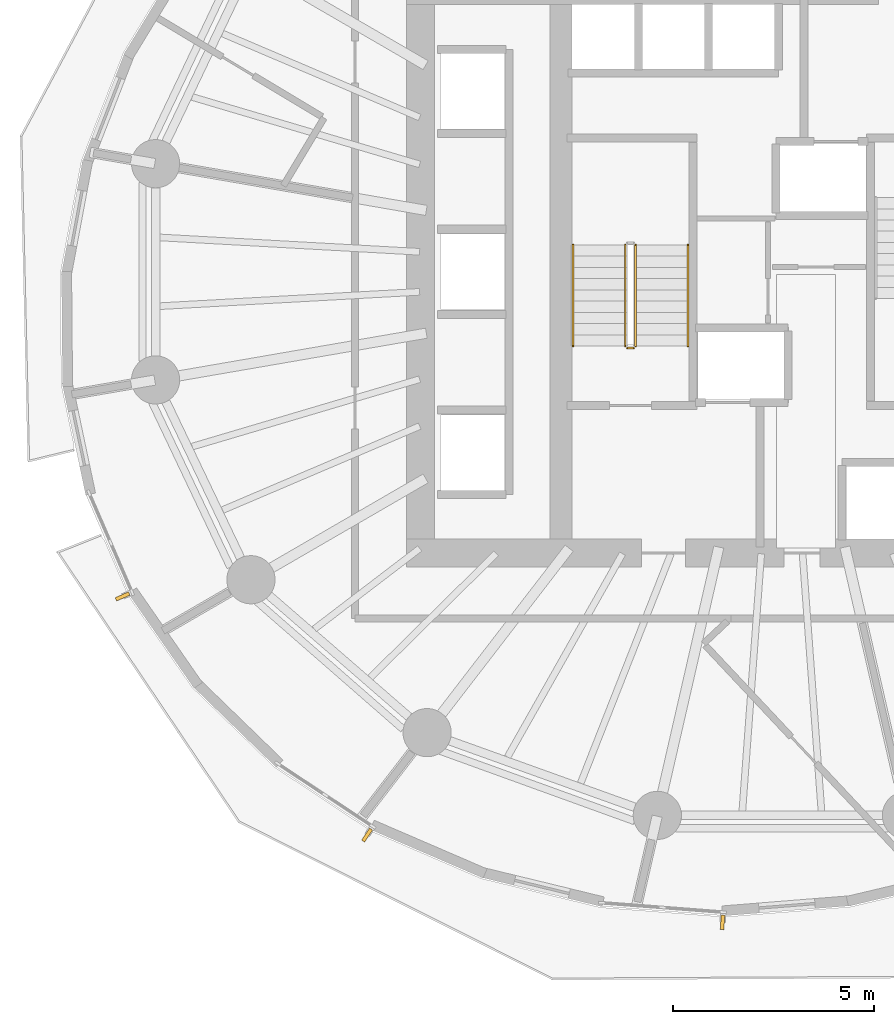
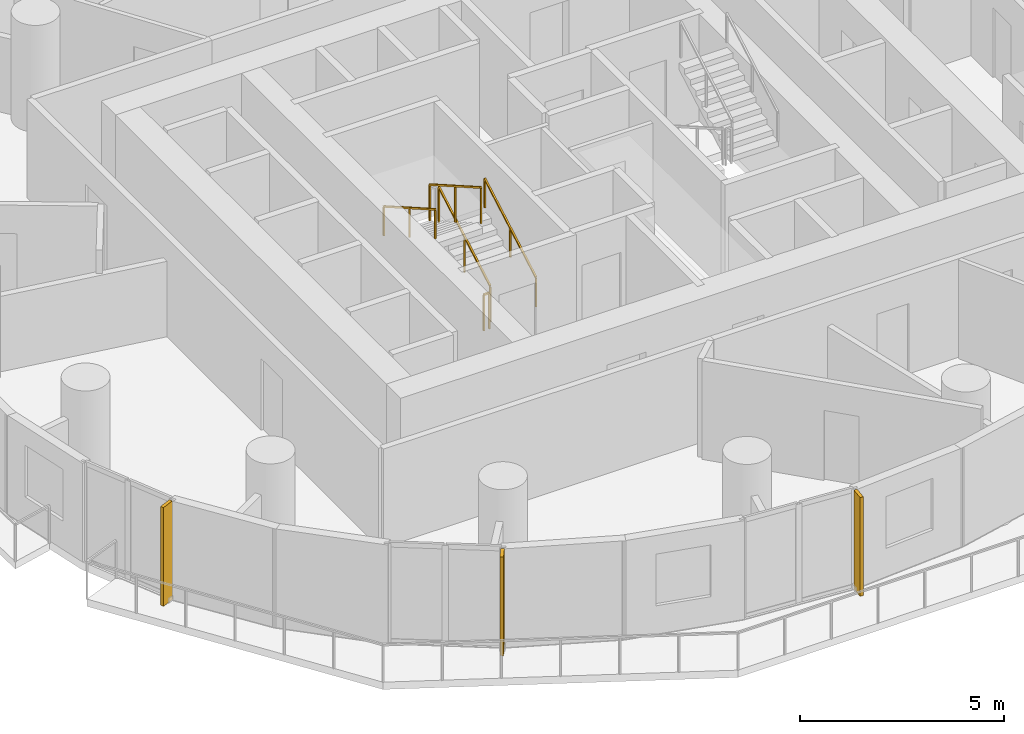
# One storey, part 11 of 14: 5 railings, 3 shading devices.
"""IFC4 building model written with IfcOpenShell, lengths in metres."""

from ifc_helpers import new_model, si_unit, direction, frame, origin, origin_2d, place, context, subcontext, project, spatial, rectangle, extrude, material, layer, layer_set, type_object, element, save


model = new_model("IFC4")

# Units and contexts
model_context = context("Model", 3, precision=1e-05, world=origin(), true_north=direction((0.0, 1.0)))
body_context = subcontext(model_context, "Body", "Model", "MODEL_VIEW")
ifc_project = project(units=[si_unit("LENGTHUNIT", "METRE"), si_unit("AREAUNIT", "SQUARE_METRE"), si_unit("VOLUMEUNIT", "CUBIC_METRE"), si_unit("PLANEANGLEUNIT", "RADIAN"), si_unit("MASSUNIT", "GRAM", prefix="KILO")], contexts=[model_context])

# Site, building, storey
site_placement = place(None, origin())
site = spatial("IfcSite", under=ifc_project, at=site_placement, CompositionType="ELEMENT")
building_placement = place(site_placement, origin())
building = spatial("IfcBuilding", under=site, at=building_placement, Name="Veldorim Arch Residences", CompositionType="ELEMENT")
storey_placement = place(building_placement, frame((0.0, 0.0, 77.280029296875)))
storey = spatial("IfcBuildingStorey", under=building, at=storey_placement, Name="L22", CompositionType="ELEMENT", Elevation=77.280029296875)

# Railings
ifc_material_1 = material(Name="Steel S355", Category="steel")
railing_type_1 = type_object("IfcRailingType", Name="Galvanised Steel Stair Safety Guardrail 1100", PredefinedType="GUARDRAIL", material=ifc_material_1)
railing_1_placement = place(storey_placement, frame((28.360107421875, 22.14990234375, 0.159912109375)))
element("IfcRailing", 1, at=railing_1_placement, inside=storey, type_object=railing_type_1, Name="L22 ST-1 stair guard 1", PredefinedType="GUARDRAIL", context=body_context, shape_type="SweptSolid", body=[
    extrude(rectangle(XDim=0.048095703125, YDim=0.048095703125, at=origin_2d()), frame((0.0, 0.0, 1.076171875), z_axis=(0.0, 0.868253494771, 0.496120820787), x_axis=(-1.0, 0.0, 0.0)), (0.0, 0.0, 1.0), 2.90234375),
    extrude(rectangle(XDim=0.0419921875, YDim=0.0419921875, at=origin_2d()), origin(), (0.0, 0.0, 1.0), 1.052001953125),
    extrude(rectangle(XDim=0.0419921875, YDim=0.0419921875, at=origin_2d()), frame((0.0, 1.260009765625, 0.719970703125)), (0.0, 0.0, 1.0), 1.052001953125),
    extrude(rectangle(XDim=0.0419921875, YDim=0.0419921875, at=origin_2d()), frame((0.0, 2.52001953125, 1.43994140625)), (0.0, 0.0, 1.0), 1.052001953125),
])
railing_2_placement = place(storey_placement, frame((28.10009765625, 24.669921875, 1.760009765625)))
element("IfcRailing", 2, at=railing_2_placement, inside=storey, type_object=railing_type_1, Name="L22 ST-1 stair guard 3", PredefinedType="GUARDRAIL", context=body_context, shape_type="SweptSolid", body=[
    extrude(rectangle(XDim=0.048095703125, YDim=0.048095703125, at=origin_2d()), frame((0.0, 0.0, 1.076171875), z_axis=(0.0, -0.868253494771, 0.496120820787), x_axis=(1.0, 0.0, 0.0)), (0.0, 0.0, 1.0), 2.90234375),
    extrude(rectangle(XDim=0.0419921875, YDim=0.0419921875, at=origin_2d()), origin(), (0.0, 0.0, 1.0), 1.052001953125),
    extrude(rectangle(XDim=0.0419921875, YDim=0.0419921875, at=origin_2d()), frame((0.0, -1.260009765625, 0.719970703125)), (0.0, 0.0, 1.0), 1.052001953125),
    extrude(rectangle(XDim=0.0419921875, YDim=0.0419921875, at=origin_2d()), frame((0.0, -2.52001953125, 1.43994140625)), (0.0, 0.0, 1.0), 1.052001953125),
])
railing_3_placement = place(storey_placement, frame((28.31005859375, 22.10009765625, 0.0)))
element("IfcRailing", 3, at=railing_3_placement, inside=storey, type_object=railing_type_1, Name="L22 ST-1 stair guard 4", PredefinedType="GUARDRAIL", context=body_context, shape_type="SweptSolid", body=[
    extrude(rectangle(XDim=0.048095703125, YDim=0.048095703125, at=origin_2d()), frame((0.0, 0.0, 1.076171875), z_axis=(-1.0, 0.0, 0.0), x_axis=(0.0, -1.0, 0.0)), (0.0, 0.0, 1.0), 0.16015625),
    extrude(rectangle(XDim=0.0419921875, YDim=0.0419921875, at=origin_2d()), origin(), (0.0, 0.0, 1.0), 1.052001953125),
    extrude(rectangle(XDim=0.0419921875, YDim=0.0419921875, at=origin_2d()), frame((-0.16015625, 0.0, 0.0)), (0.0, 0.0, 1.0), 1.052001953125),
])
ifc_material_2 = material(Name="Stainless Steel", Category="steel")
railing_type_2 = type_object("IfcRailingType", Name="Tubular Steel Continuous Wall Handrail 900", PredefinedType="HANDRAIL", material=ifc_material_2)
railing_4_placement = place(storey_placement, frame((29.659912109375, 22.14990234375, 0.159912109375)))
element("IfcRailing", 4, at=railing_4_placement, inside=storey, type_object=railing_type_2, Name="L22 ST-1 stair handrail 1", PredefinedType="HANDRAIL", context=body_context, shape_type="SweptSolid", body=[
    extrude(rectangle(XDim=0.048095703125, YDim=0.048095703125, at=origin_2d()), frame((0.0, 0.0, 0.8759765625), z_axis=(0.0, 0.868253494771, 0.496120820787), x_axis=(-1.0, 0.0, 0.0)), (0.0, 0.0, 1.0), 2.90234375),
    extrude(rectangle(XDim=0.0419921875, YDim=0.0419921875, at=origin_2d()), origin(), (0.0, 0.0, 1.0), 0.851806640625),
    extrude(rectangle(XDim=0.0419921875, YDim=0.0419921875, at=origin_2d()), frame((0.0, 1.260009765625, 0.719970703125)), (0.0, 0.0, 1.0), 0.851806640625),
    extrude(rectangle(XDim=0.0419921875, YDim=0.0419921875, at=origin_2d()), frame((0.0, 2.52001953125, 1.43994140625)), (0.0, 0.0, 1.0), 0.851806640625),
])
railing_5_placement = place(storey_placement, frame((26.800048828125, 24.669921875, 1.760009765625)))
element("IfcRailing", 5, at=railing_5_placement, inside=storey, type_object=railing_type_2, Name="L22 ST-1 stair handrail 2", PredefinedType="HANDRAIL", context=body_context, shape_type="SweptSolid", body=[
    extrude(rectangle(XDim=0.048095703125, YDim=0.048095703125, at=origin_2d()), frame((0.0, 0.0, 0.8759765625), z_axis=(0.0, -0.868253494771, 0.496120820787), x_axis=(1.0, 0.0, 0.0)), (0.0, 0.0, 1.0), 2.90234375),
    extrude(rectangle(XDim=0.0419921875, YDim=0.0419921875, at=origin_2d()), origin(), (0.0, 0.0, 1.0), 0.851806640625),
    extrude(rectangle(XDim=0.0419921875, YDim=0.0419921875, at=origin_2d()), frame((0.0, -1.260009765625, 0.719970703125)), (0.0, 0.0, 1.0), 0.851806640625),
    extrude(rectangle(XDim=0.0419921875, YDim=0.0419921875, at=origin_2d()), frame((0.0, -2.52001953125, 1.43994140625)), (0.0, 0.0, 1.0), 0.851806640625),
])

# Shading devices
ifc_material_3 = material(Name="Terracotta Ceramic", Category="masonry")
ifc_layer = layer(ifc_material_3, 0.090087890625, Name="Vertical Extruded Terracotta Baguette Sun-Shading Fin")
ifc_layer_set = layer_set([ifc_layer], Name="Terracotta Ceramic")
shading_device_type = type_object("IfcShadingDeviceType", Name="Vertical Extruded Terracotta Baguette Sun-Shading Fin", PredefinedType="USERDEFINED", material=ifc_layer_set)
for number, where, z_axis, x_axis, name in (
    (6, (15.583984375, 15.917236328125, 0.0), (0.0, 0.0, 1.0), (-0.396987706187, 0.917823927089, 0.0), "L22 vertical terracotta sun-shading fin 19"),
    (7, (21.671630859375, 9.974853515625, 0.0), (0.0, 0.0, 1.0), (-0.834174701276, 0.551500288078, 0.0), "L22 vertical terracotta sun-shading fin 22"),
    (8, (30.521728515625, 7.80029296875, 0.0), (0.0, 0.0, 1.0), (-0.997052752227, 0.076719028127, 0.0), "L22 vertical terracotta sun-shading fin 25"),
):
    element("IfcShadingDevice", number, at=place(storey_placement, frame(where, z_axis=z_axis, x_axis=x_axis)), inside=storey, type_object=shading_device_type, Name=name, ObjectType="FIN", PredefinedType="USERDEFINED", context=body_context, shape_type="SweptSolid", body=[
        extrude(rectangle(XDim=0.090087890625, YDim=0.360107421875, at=origin_2d()), origin(), (0.0, 0.0, 1.0), 2.9599609375),
    ])

save(model, "model.ifc")
